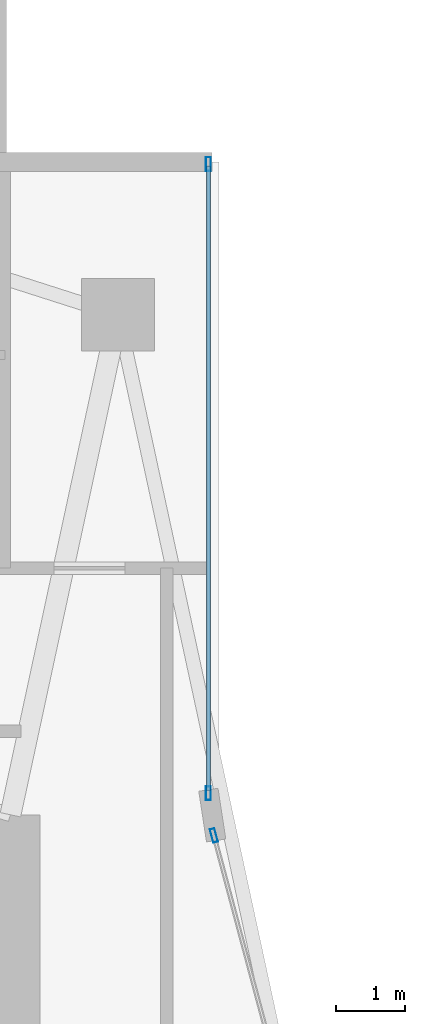
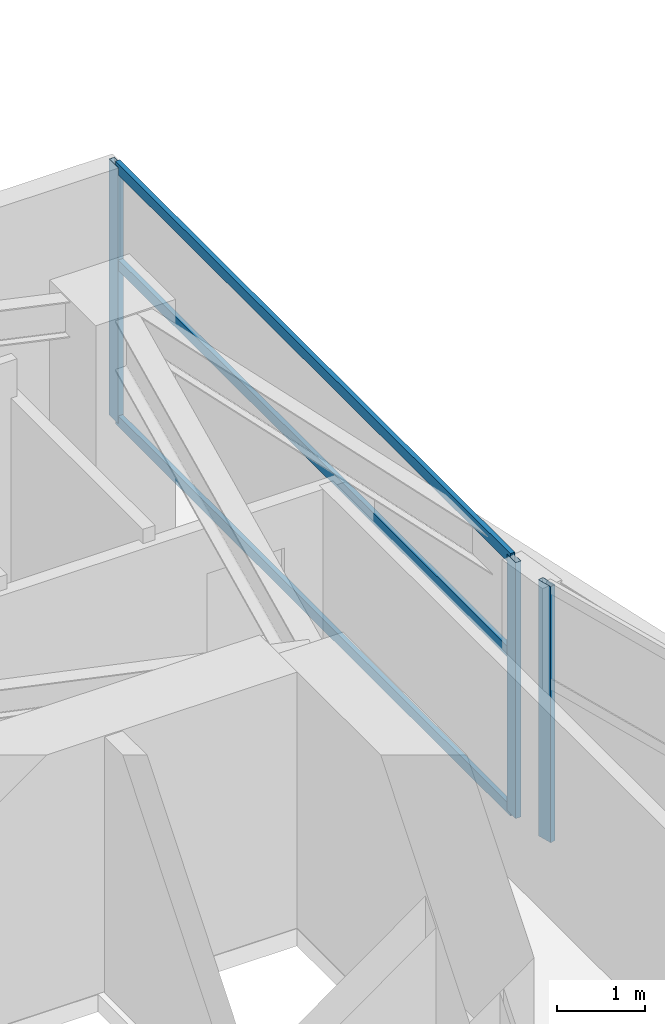
# One storey, part 18 of 29: 6 members, 2 elements without a shape of their own.
"""IFC4 building model written with IfcOpenShell, lengths in metres."""

from ifc_helpers import new_model, si_unit, direction, frame, origin, origin_2d, place, context, subcontext, project, spatial, hollow_rectangle, extrude, material, layer, layer_set, material_profile, profile_set, type_object, element, aggregate, save


model = new_model("IFC4")

# Units and contexts
model_context = context("Model", 3, precision=1e-05, world=origin(), true_north=direction((0.0, 1.0)))
body_context = subcontext(model_context, "Body", "Model", "MODEL_VIEW")
ifc_project = project(units=[si_unit("LENGTHUNIT", "METRE"), si_unit("AREAUNIT", "SQUARE_METRE"), si_unit("VOLUMEUNIT", "CUBIC_METRE"), si_unit("PLANEANGLEUNIT", "RADIAN"), si_unit("MASSUNIT", "GRAM", prefix="KILO")], contexts=[model_context])

# Site, building, storey
site_placement = place(None, origin())
site = spatial("IfcSite", under=ifc_project, at=site_placement, CompositionType="ELEMENT")
building_placement = place(site_placement, origin())
building = spatial("IfcBuilding", under=site, at=building_placement, Name="Calvorn Quay Hotel", CompositionType="ELEMENT")
storey_placement = place(building_placement, frame((0.0, 0.0, 124.0)))
storey = spatial("IfcBuildingStorey", under=building, at=storey_placement, Name="L30", CompositionType="ELEMENT", Elevation=124.0)

# Curtain wall, member
ifc_material_1 = material(Name="Pale Anodised Aluminium and Low-E Glass", Category="aluminium")
ifc_layer = layer(ifc_material_1, 0.219970703125)
ifc_layer_set = layer_set([ifc_layer], Name="CW-SYS-Z2")
curtain_wall_type = type_object("IfcCurtainWallType", Name="CW-SYS-Z2", PredefinedType="NOTDEFINED", material=ifc_layer_set)
curtain_wall_1_placement = place(storey_placement, origin())
curtain_wall_1 = element("IfcCurtainWall", 1, at=curtain_wall_1_placement, inside=storey, type_object=curtain_wall_type, Name="Inner Court Curtain Wall L30-IC1", PredefinedType="NOTDEFINED")
ifc_material_2 = material(Name="Pale Anodised Aluminium 6063-T6", Category="aluminium")
ifc_material_profile_1 = material_profile(ifc_material_2, hollow_rectangle(XDim=0.070068359375, YDim=0.199951171875, WallThickness=0.00390625, at=origin_2d()), Name="ALU-M200x70x4")
ifc_profile_set_1 = profile_set([ifc_material_profile_1], Name="Pale Anodised Aluminium 6063-T6")
member_type_1 = type_object("IfcMemberType", Name="CW-SYS-Z2-MUL", PredefinedType="MULLION", material=ifc_profile_set_1)
member_1_placement = place(storey_placement, frame((17.9296875, 38.10107421875, 0.0), z_axis=(0.0, 0.0, 1.0), x_axis=(-0.96593652056, -0.25877913024, 0.0)))
member_1 = element("IfcMember", 2, at=member_1_placement, type_object=member_type_1, Name="CW-L30-IC1 mullion 2", PredefinedType="MULLION", context=body_context, shape_type="SweptSolid", body=[
    extrude(hollow_rectangle(XDim=0.070068359375, YDim=0.199951171875, WallThickness=0.00390625, at=origin_2d()), origin(), (0.0, 0.0, 1.0), 3.56005859375),
])
aggregate(curtain_wall_1, [member_1])

# Curtain wall, members
curtain_wall_2_placement = place(storey_placement, origin())
curtain_wall_2 = element("IfcCurtainWall", 3, at=curtain_wall_2_placement, inside=storey, type_object=curtain_wall_type, Name="Inner Court Curtain Wall L30-IC2", PredefinedType="NOTDEFINED")
member_2_placement = place(storey_placement, frame((17.85009765625, 38.7099609375, 0.0), z_axis=(0.0, 0.0, 1.0), x_axis=(-1.0, 0.0, 0.0)))
member_2 = element("IfcMember", 4, at=member_2_placement, type_object=member_type_1, Name="CW-L30-IC2 mullion 1", PredefinedType="MULLION", context=body_context, shape_type="SweptSolid", body=[
    extrude(hollow_rectangle(XDim=0.070068359375, YDim=0.199951171875, WallThickness=0.00390625, at=origin_2d()), origin(), (0.0, 0.0, 1.0), 3.56005859375),
])
member_3_placement = place(storey_placement, frame((17.85009765625, 47.77001953125, 0.0), z_axis=(0.0, 0.0, 1.0), x_axis=(-1.0, 0.0, 0.0)))
member_3 = element("IfcMember", 5, at=member_3_placement, type_object=member_type_1, Name="CW-L30-IC2 mullion 2", PredefinedType="MULLION", context=body_context, shape_type="SweptSolid", body=[
    extrude(hollow_rectangle(XDim=0.070068359375, YDim=0.199951171875, WallThickness=0.00390625, at=origin_2d()), origin(), (0.0, 0.0, 1.0), 3.56005859375),
])
ifc_material_3 = material(Name="Pale Anodised Aluminium 6063-T6", Category="aluminium")
ifc_material_profile_2 = material_profile(ifc_material_3, hollow_rectangle(XDim=0.06005859375, YDim=0.14990234375, WallThickness=0.00341796875, at=origin_2d()), Name="ALU-T150x60x3.5")
ifc_profile_set_2 = profile_set([ifc_material_profile_2], Name="Pale Anodised Aluminium 6063-T6")
member_type_2 = type_object("IfcMemberType", Name="CW-SYS-Z2-TRN", PredefinedType="USERDEFINED", material=ifc_profile_set_2)
member_4_placement = place(storey_placement, frame((17.85009765625, 38.739990234375, 0.030029296875), z_axis=(0.0, 1.0, 0.0), x_axis=(-1.0, 0.0, 0.0)))
member_4 = element("IfcMember", 6, at=member_4_placement, type_object=member_type_2, Name="CW-L30-IC2 transom 1.1", ObjectType="TRANSOM", PredefinedType="USERDEFINED", context=body_context, shape_type="SweptSolid", body=[
    extrude(hollow_rectangle(XDim=0.06005859375, YDim=0.14990234375, WallThickness=0.00341796875, at=origin_2d()), origin(), (0.0, 0.0, 1.0), 9.0),
])
member_5_placement = place(storey_placement, frame((17.85009765625, 38.739990234375, 2.199951171875), z_axis=(0.0, 1.0, 0.0), x_axis=(-1.0, 0.0, 0.0)))
member_5 = element("IfcMember", 7, at=member_5_placement, type_object=member_type_2, Name="CW-L30-IC2 transom 1.2", ObjectType="TRANSOM", PredefinedType="USERDEFINED", context=body_context, shape_type="SweptSolid", body=[
    extrude(hollow_rectangle(XDim=0.06005859375, YDim=0.14990234375, WallThickness=0.00341796875, at=origin_2d()), origin(), (0.0, 0.0, 1.0), 9.0),
])
member_6_placement = place(storey_placement, frame((17.85009765625, 38.739990234375, 3.530029296875), z_axis=(0.0, 1.0, 0.0), x_axis=(-1.0, 0.0, 0.0)))
member_6 = element("IfcMember", 8, at=member_6_placement, type_object=member_type_2, Name="CW-L30-IC2 transom 1.3", ObjectType="TRANSOM", PredefinedType="USERDEFINED", context=body_context, shape_type="SweptSolid", body=[
    extrude(hollow_rectangle(XDim=0.06005859375, YDim=0.14990234375, WallThickness=0.00341796875, at=origin_2d()), origin(), (0.0, 0.0, 1.0), 9.0),
])
aggregate(curtain_wall_2, [member_2, member_3, member_4, member_5, member_6])

save(model, "model.ifc")
